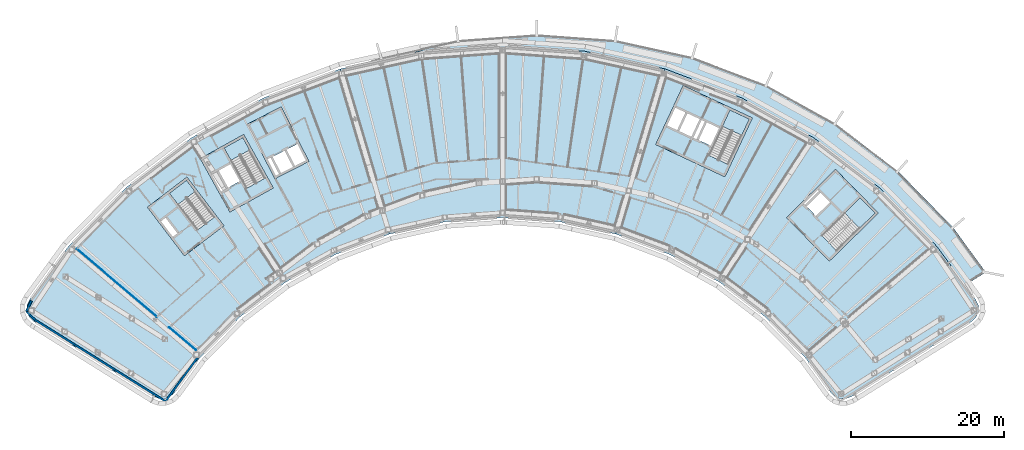
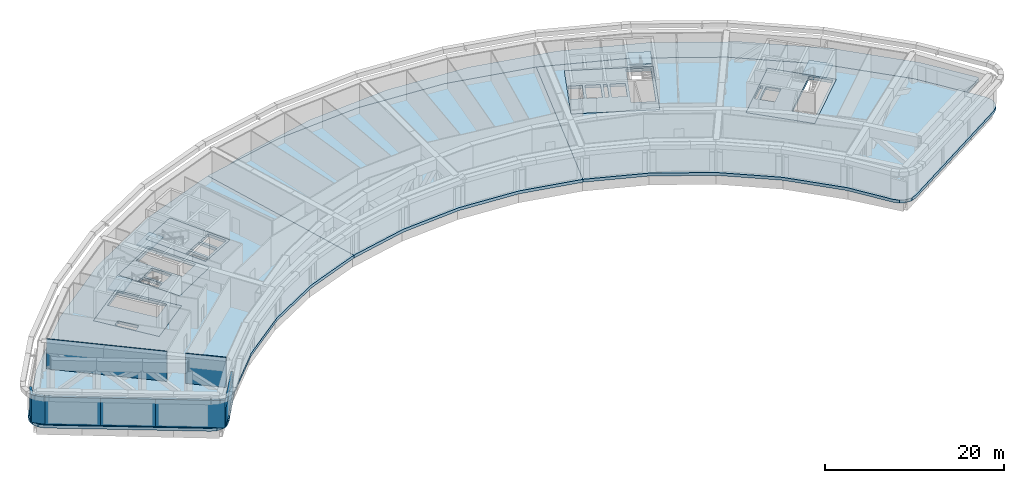
# One storey, part 6 of 25: 13 slabs, 8 walls, 4 elements without a shape of their own.
"""IFC4 building model written with IfcOpenShell, lengths in metres."""

from ifc_helpers import new_model, si_unit, direction, frame, frame_2d, origin, place, context, subcontext, project, spatial, polyline, rectangle, outline, extrude, material, layer, layer_set, type_object, element, aggregate, save


model = new_model("IFC4")

# Units and contexts
model_context = context("Model", 3, precision=1e-05, world=origin(), true_north=direction((0.0, 1.0)))
body_context = subcontext(model_context, "Body", "Model", "MODEL_VIEW")
ifc_project = project(units=[si_unit("LENGTHUNIT", "METRE"), si_unit("AREAUNIT", "SQUARE_METRE"), si_unit("VOLUMEUNIT", "CUBIC_METRE"), si_unit("PLANEANGLEUNIT", "RADIAN"), si_unit("MASSUNIT", "GRAM", prefix="KILO")], contexts=[model_context])

# Site, building, storey
site_placement = place(None, origin())
site = spatial("IfcSite", under=ifc_project, at=site_placement, CompositionType="ELEMENT")
building_placement = place(site_placement, origin())
building = spatial("IfcBuilding", under=site, at=building_placement, Name="Tuul Gate Civic Tower", CompositionType="ELEMENT")
storey_placement = place(building_placement, frame((0.0, 0.0, 133.699951171875)))
storey = spatial("IfcBuildingStorey", under=building, at=storey_placement, Name="Plant and refuge floor 4", CompositionType="ELEMENT", Elevation=133.699951171875)

# Slabs
ifc_material_1 = material(Name="Concrete C40/50", Category="concrete")
ifc_layer_1 = layer(ifc_material_1, 0.39990234375)
ifc_layer_set_1 = layer_set([ifc_layer_1], Name="Concrete C40/50")
slab_type_1 = type_object("IfcSlabType", Name="Core floor slab 400", PredefinedType="FLOOR", material=ifc_layer_set_1)
slab_1_placement = place(storey_placement, frame((0.0, 0.0, -0.400146484375)))
element("IfcSlab", 1, at=slab_1_placement, inside=storey, type_object=slab_type_1, Name="FLOOR SLAB", PredefinedType="FLOOR", context=body_context, shape_type="SweptSolid", body=[
    extrude(outline(polyline([(-31.10009765625, -13.7890625), (-35.946044921875, -7.423828125), (-41.11767578125, -11.361572265625), (-36.271484375, -17.726806640625), (-31.10009765625, -13.7890625)]), holes=[polyline([(-37.19287109375, -14.783203125), (-38.737548828125, -12.75439453125), (-39.45361328125, -13.299560546875), (-37.908935546875, -15.328369140625), (-37.19287109375, -14.783203125)]), polyline([(-32.33935546875, -12.65771484375), (-34.56591796875, -14.352783203125), (-38.229736328125, -9.54052734375), (-36.003173828125, -7.845458984375), (-32.33935546875, -12.65771484375)])]), origin(), (0.0, 0.0, 1.0), 0.400146484375),
])
slab_2_placement = place(storey_placement, frame((0.0, 0.0, -0.400146484375)))
element("IfcSlab", 2, at=slab_2_placement, inside=storey, type_object=slab_type_1, Name="FLOOR SLAB", PredefinedType="FLOOR", context=body_context, shape_type="SweptSolid", body=[
    extrude(outline(polyline([(-24.638916015625, -8.846923828125), (-28.51708984375, -1.849853515625), (-34.2021484375, -5.0009765625), (-30.32421875, -11.998046875), (-24.638916015625, -8.846923828125)]), holes=[polyline([(-29.0185546875, -7.958740234375), (-30.254638671875, -5.728515625), (-31.785400390625, -6.576904296875), (-30.54931640625, -8.80712890625), (-29.0185546875, -7.958740234375)]), polyline([(-30.8115234375, -8.95263671875), (-32.047607421875, -6.72216796875), (-32.8349609375, -7.158447265625), (-31.5986328125, -9.388916015625), (-30.8115234375, -8.95263671875)]), polyline([(-25.702392578125, -7.548828125), (-28.14990234375, -8.905517578125), (-31.08203125, -3.615234375), (-28.63427734375, -2.2587890625), (-25.702392578125, -7.548828125)])]), origin(), (0.0, 0.0, 1.0), 0.400146484375),
])
slab_3_placement = place(storey_placement, frame((0.0, 0.0, -0.400146484375)))
element("IfcSlab", 3, at=slab_3_placement, inside=storey, type_object=slab_type_1, Name="FLOOR SLAB", PredefinedType="FLOOR", context=body_context, shape_type="SweptSolid", body=[
    extrude(outline(polyline([(48.117919921875, -18.43310546875), (54.545166015625, -12.1328125), (48.945068359375, -6.419921875), (42.517822265625, -12.719970703125), (48.117919921875, -18.43310546875)]), holes=[polyline([(46.373779296875, -12.510986328125), (48.19482421875, -10.725830078125), (46.969970703125, -9.47607421875), (45.14892578125, -11.26123046875), (46.373779296875, -12.510986328125)]), polyline([(44.93896484375, -11.046875), (46.760009765625, -9.261962890625), (46.514892578125, -9.011962890625), (44.69384765625, -10.797119140625), (44.93896484375, -11.046875)]), polyline([(49.086181640625, -17.062744140625), (47.12744140625, -15.064208984375), (52.160888671875, -10.130126953125), (54.11962890625, -12.128662109375), (49.086181640625, -17.062744140625)])]), origin(), (0.0, 0.0, 1.0), 0.400146484375),
])
slab_4_placement = place(storey_placement, frame((0.0, 0.0, -0.400146484375)))
element("IfcSlab", 4, at=slab_4_placement, inside=storey, type_object=slab_type_1, Name="FLOOR SLAB", PredefinedType="FLOOR", context=body_context, shape_type="SweptSolid", body=[
    extrude(outline(polyline([(34.465087890625, -7.385986328125), (38.056884765625, 0.31787109375), (28.993896484375, 4.543701171875), (25.40185546875, -3.159912109375), (34.465087890625, -7.385986328125)]), holes=[polyline([(32.60888671875, -3.32080078125), (33.6865234375, -1.009765625), (32.1005859375, -0.27001953125), (31.02294921875, -2.581298828125), (32.60888671875, -3.32080078125)]), polyline([(30.0712890625, -2.137451171875), (31.14892578125, 0.173583984375), (29.562744140625, 0.9130859375), (28.4853515625, -1.39794921875), (30.0712890625, -2.137451171875)]), polyline([(30.751220703125, -2.454345703125), (31.82861328125, -0.143310546875), (31.4208984375, 0.046875), (30.34326171875, -2.264404296875), (30.751220703125, -2.454345703125)]), polyline([(28.21337890625, -1.27099609375), (29.291015625, 1.0400390625), (27.8408203125, 1.71630859375), (26.76318359375, -0.594970703125), (28.21337890625, -1.27099609375)]), polyline([(34.889892578125, -5.7626953125), (32.353759765625, -4.580078125), (35.120849609375, 1.354736328125), (37.6572265625, 0.17236328125), (34.889892578125, -5.7626953125)])]), origin(), (0.0, 0.0, 1.0), 0.400146484375),
])
ifc_material_2 = material(Name="Concrete C40/50", Category="concrete")
ifc_layer_2 = layer(ifc_material_2, 0.39990234375)
ifc_layer_set_2 = layer_set([ifc_layer_2], Name="Concrete C40/50")
slab_type_2 = type_object("IfcSlabType", Name="Core floor slab 400 non-bearing", PredefinedType="FLOOR", material=ifc_layer_set_2)
slab_5_placement = place(storey_placement, frame((0.0, 0.0, -0.400146484375)))
element("IfcSlab", 5, at=slab_5_placement, inside=storey, type_object=slab_type_2, Name="FLOOR SLAB", PredefinedType="FLOOR", context=body_context, shape_type="SweptSolid", body=[
    extrude(outline(polyline([(-19.98095703125, -5.365966796875), (-23.613037109375, 1.761962890625), (-28.068115234375, -0.508056640625), (-24.43603515625, -7.635986328125), (-19.98095703125, -5.365966796875)]), holes=[polyline([(-20.384521484375, -5.23486328125), (-21.47412109375, -3.096435546875), (-22.899658203125, -3.822998046875), (-21.81005859375, -5.961181640625), (-20.384521484375, -5.23486328125)]), polyline([(-22.077392578125, -6.097412109375), (-23.1669921875, -3.958984375), (-24.726318359375, -4.753662109375), (-23.63671875, -6.89208984375), (-22.077392578125, -6.097412109375)]), polyline([(-23.8359375, -7.161865234375), (-24.99365234375, -4.889892578125), (-25.5283203125, -5.162109375), (-24.37060546875, -7.434326171875), (-23.8359375, -7.161865234375)])]), origin(), (0.0, 0.0, 1.0), 0.400146484375),
])

# Stair, slab
ifc_material_3 = material(Name="Concrete C40/50", Category="concrete")
stair_type = type_object("IfcStairType", Name="Exit stair", PredefinedType="HALF_TURN_STAIR", material=ifc_material_3)
stair_1_placement = place(storey_placement, origin())
stair_1 = element("IfcStair", 6, at=stair_1_placement, inside=storey, type_object=stair_type, Name="Plant and refuge floor 4 ST-1", PredefinedType="HALF_TURN_STAIR")
ifc_material_4 = material(Name="Concrete C40/50", Category="concrete")
ifc_layer_3 = layer(ifc_material_4, 0.199951171875)
ifc_layer_set_3 = layer_set([ifc_layer_3], Name="Concrete C40/50")
slab_type_3 = type_object("IfcSlabType", Name="Exit stair landing", PredefinedType="LANDING", material=ifc_layer_set_3)
slab_6_placement = place(storey_placement, frame((0.0, 0.0, 2.050048828125)))
slab_6 = element("IfcSlab", 7, at=slab_6_placement, type_object=slab_type_3, Name="ST-1 landing 1", PredefinedType="LANDING", context=body_context, shape_type="SweptSolid", body=[
    extrude(outline(polyline([(-34.88134765625, -9.31640625), (-37.1103515625, -11.013427734375), (-38.23193359375, -9.540283203125), (-36.0029296875, -7.843017578125), (-34.88134765625, -9.31640625)])), origin(), (0.0, 0.0, 1.0), 0.199951171875),
])
aggregate(stair_1, [slab_6])

stair_2_placement = place(storey_placement, origin())
stair_2 = element("IfcStair", 8, at=stair_2_placement, inside=storey, type_object=stair_type, Name="Plant and refuge floor 4 ST-2", PredefinedType="HALF_TURN_STAIR")
slab_7_placement = place(storey_placement, frame((0.0, 0.0, 2.050048828125)))
slab_7 = element("IfcSlab", 9, at=slab_7_placement, type_object=slab_type_3, Name="ST-2 landing 1", PredefinedType="LANDING", context=body_context, shape_type="SweptSolid", body=[
    extrude(outline(polyline([(-27.736083984375, -3.8759765625), (-30.1865234375, -5.234130859375), (-31.084228515625, -3.61474609375), (-28.6337890625, -2.256591796875), (-27.736083984375, -3.8759765625)])), origin(), (0.0, 0.0, 1.0), 0.199951171875),
])
aggregate(stair_2, [slab_7])

stair_3_placement = place(storey_placement, origin())
stair_3 = element("IfcStair", 10, at=stair_3_placement, inside=storey, type_object=stair_type, Name="Plant and refuge floor 4 ST-3", PredefinedType="HALF_TURN_STAIR")
slab_8_placement = place(storey_placement, frame((0.0, 0.0, 2.050048828125)))
slab_8 = element("IfcSlab", 11, at=slab_8_placement, type_object=slab_type_3, Name="ST-3 landing 1", PredefinedType="LANDING", context=body_context, shape_type="SweptSolid", body=[
    extrude(outline(polyline([(52.085693359375, -14.124755859375), (50.12451171875, -12.1240234375), (52.160888671875, -10.1279296875), (54.1220703125, -12.128662109375), (52.085693359375, -14.124755859375)])), origin(), (0.0, 0.0, 1.0), 0.199951171875),
])
aggregate(stair_3, [slab_8])

stair_4_placement = place(storey_placement, origin())
stair_4 = element("IfcStair", 12, at=stair_4_placement, inside=storey, type_object=stair_type, Name="Plant and refuge floor 4 ST-4", PredefinedType="HALF_TURN_STAIR")
slab_9_placement = place(storey_placement, frame((0.0, 0.0, 2.050048828125)))
slab_9 = element("IfcSlab", 13, at=slab_9_placement, type_object=slab_type_3, Name="ST-4 landing 1", PredefinedType="LANDING", context=body_context, shape_type="SweptSolid", body=[
    extrude(outline(polyline([(36.66552734375, -1.958251953125), (34.12646484375, -0.7744140625), (35.1201171875, 1.35693359375), (37.659423828125, 0.173095703125), (36.66552734375, -1.958251953125)])), origin(), (0.0, 0.0, 1.0), 0.199951171875),
])
aggregate(stair_4, [slab_9])

# Slabs
ifc_material_5 = material(Name="Concrete C35/45", Category="concrete")
ifc_layer_4 = layer(ifc_material_5, 0.39990234375)
ifc_layer_set_4 = layer_set([ifc_layer_4], Name="Concrete C35/45")
slab_type_4 = type_object("IfcSlabType", Name="STR-FLOOR-SLAB-400", PredefinedType="FLOOR", material=ifc_layer_set_4)
slab_10_placement = place(storey_placement, frame((0.0, 0.0, -0.400146484375)))
element("IfcSlab", 14, at=slab_10_placement, inside=storey, type_object=slab_type_4, Name="Plant and refuge floor 4/slab/W", PredefinedType="FLOOR", context=body_context, shape_type="SweptSolid", body=[
    extrude(outline(polyline([(-16.4599609375, -17.5380859375), (-9.43994140625, -14.883056640625), (-15.8740234375, 6.739013671875), (-25.943115234375, 2.930908203125), (-35.35693359375, -2.287109375), (-43.922119140625, -8.80810546875), (-51.45703125, -16.4951171875), (-56.537109375, -23.451904296875), (-56.8740234375, -24.195068359375), (-56.885986328125, -25.010009765625), (-56.571044921875, -25.762939453125), (-55.98193359375, -26.326904296875), (-40.251953125, -36.156005859375), (-39.55810546875, -36.427001953125), (-38.81298828125, -36.424072265625), (-38.12109375, -36.14892578125), (-37.576904296875, -35.639892578125), (-34.248046875, -31.08203125), (-28.9951171875, -25.721923828125), (-23.02392578125, -21.176025390625), (-16.4599609375, -17.5380859375)]), holes=[polyline([(-31.10009765625, -13.7890625), (-36.27197265625, -17.72705078125), (-41.117919921875, -11.362060546875), (-35.946044921875, -7.424072265625), (-31.10009765625, -13.7890625)]), polyline([(-24.638916015625, -8.846923828125), (-30.323974609375, -11.998046875), (-34.201904296875, -5.0009765625), (-28.51708984375, -1.85009765625), (-24.638916015625, -8.846923828125)]), polyline([(-24.43603515625, -7.635986328125), (-28.068115234375, -0.508056640625), (-23.613037109375, 1.761962890625), (-19.98095703125, -5.365966796875), (-24.43603515625, -7.635986328125)])]), origin(), (0.0, 0.0, 1.0), 0.400146484375),
])
slab_11_placement = place(storey_placement, frame((0.0, 0.0, -0.400146484375)))
element("IfcSlab", 15, at=slab_11_placement, inside=storey, type_object=slab_type_4, Name="Plant and refuge floor 4/slab/M", PredefinedType="FLOOR", context=body_context, shape_type="SweptSolid", body=[
    extrude(outline(polyline([(20.18798828125, -14.883056640625), (26.6220703125, 6.739013671875), (16.110107421875, 9.054931640625), (5.3740234375, 9.8330078125), (-5.362060546875, 9.054931640625), (-15.8740234375, 6.739013671875), (-9.43994140625, -14.883056640625), (-2.111083984375, -13.26806640625), (5.3740234375, -12.72607421875), (12.85888671875, -13.26806640625), (20.18798828125, -14.883056640625)])), origin(), (0.0, 0.0, 1.0), 0.400146484375),
])
slab_12_placement = place(storey_placement, frame((0.0, 0.0, -0.400146484375)))
element("IfcSlab", 16, at=slab_12_placement, inside=storey, type_object=slab_type_4, Name="Plant and refuge floor 4/slab/E", PredefinedType="FLOOR", context=body_context, shape_type="SweptSolid", body=[
    extrude(outline(polyline([(50.305908203125, -36.427001953125), (51.0, -36.156005859375), (66.72998046875, -26.326904296875), (67.319091796875, -25.762939453125), (67.634033203125, -25.010009765625), (67.6220703125, -24.195068359375), (67.284912109375, -23.451904296875), (62.205078125, -16.4951171875), (54.669921875, -8.80810546875), (46.10498046875, -2.287109375), (36.69091796875, 2.930908203125), (26.6220703125, 6.739013671875), (20.18798828125, -14.883056640625), (27.2080078125, -17.5380859375), (33.77197265625, -21.176025390625), (39.742919921875, -25.721923828125), (44.99609375, -31.08203125), (48.324951171875, -35.639892578125), (48.868896484375, -36.14892578125), (49.56103515625, -36.424072265625), (50.305908203125, -36.427001953125)]), holes=[polyline([(48.117919921875, -18.43310546875), (42.51806640625, -12.719970703125), (48.945068359375, -6.419921875), (54.544921875, -12.133056640625), (48.117919921875, -18.43310546875)]), polyline([(25.402099609375, -3.159912109375), (28.993896484375, 4.5439453125), (38.056884765625, 0.318115234375), (34.465087890625, -7.385986328125), (25.402099609375, -3.159912109375)])]), origin(), (0.0, 0.0, 1.0), 0.400146484375),
])
ifc_material_6 = material(Name="Concrete C40/50", Category="concrete")
ifc_layer_5 = layer(ifc_material_6, 0.39990234375)
ifc_layer_set_5 = layer_set([ifc_layer_5], Name="Concrete C40/50")
slab_type_5 = type_object("IfcSlabType", Name="STR-TERRACE-SLAB-400", PredefinedType="ROOF", material=ifc_layer_set_5)
slab_13_placement = place(storey_placement, frame((0.0, 0.0, -0.400146484375)))
element("IfcSlab", 17, at=slab_13_placement, inside=storey, type_object=slab_type_5, Name="terrace 1", PredefinedType="ROOF", context=body_context, shape_type="SweptSolid", body=[
    extrude(outline(polyline([(-10.547119140625, 8.262939453125), (-0.467041015625, 10.48388671875), (9.8291015625, 11.22998046875), (20.1240234375, 10.48388671875), (30.205078125, 8.262939453125), (39.860107421875, 4.611083984375), (48.887939453125, -0.39306640625), (57.10107421875, -6.64599609375), (64.326904296875, -14.01806640625), (68.4208984375, -19.6240234375), (68.471923828125, -19.735107421875), (68.47412109375, -19.85693359375), (68.426025390625, -19.969970703125), (68.337890625, -20.054931640625), (65.91162109375, -21.5712890625), (62.205078125, -16.4951171875), (54.669921875, -8.80810546875), (46.10498046875, -2.287109375), (36.69091796875, 2.930908203125), (26.6220703125, 6.739013671875), (16.110107421875, 9.054931640625), (5.3740234375, 9.8330078125), (-5.362060546875, 9.054931640625), (-12.765380859375, 7.423828125), (-10.547119140625, 8.262939453125)])), origin(), (0.0, 0.0, 1.0), 0.400146484375),
])

# Walls
ifc_material_7 = material(Name="Precast concrete C40/50", Category="concrete")
ifc_layer_6 = layer(ifc_material_7, 0.25)
ifc_layer_set_6 = layer_set([ifc_layer_6], Name="Precast concrete C40/50")
wall_type_1 = type_object("IfcWallType", Name="External wall", PredefinedType="STANDARD", material=ifc_layer_set_6)
wall_1_placement = place(storey_placement, frame((-56.30224609375, -23.591796875, 0.0), z_axis=(0.0, 0.0, 1.0), x_axis=(-0.413521925612, -0.910494160903, 0.0)))
element("IfcWall", 18, at=wall_1_placement, inside=storey, type_object=wall_type_1, Name="External wall", PredefinedType="STANDARD", context=body_context, shape_type="SweptSolid", body=[
    extrude(rectangle(XDim=1.571044921875, YDim=0.25, at=frame_2d((0.78564453125, 0.0))), origin(), (0.0, 0.0, 1.0), 3.75),
])
wall_2_placement = place(storey_placement, frame((-56.951904296875, -25.022216796875, 0.0), z_axis=(0.0, 0.0, 1.0), x_axis=(0.722162740816, -0.691723193031, 0.0)))
element("IfcWall", 19, at=wall_2_placement, inside=storey, type_object=wall_type_1, Name="External wall", PredefinedType="STANDARD", context=body_context, shape_type="SweptSolid", body=[
    extrude(rectangle(XDim=1.572021484375, YDim=0.25, at=frame_2d((0.7861328125, 0.0))), origin(), (0.0, 0.0, 1.0), 3.75),
])
wall_3_placement = place(storey_placement, frame((-55.836669921875, -26.093994140625, 0.0), z_axis=(0.0, 0.0, 1.0), x_axis=(0.848042669488, -0.529927948619, 0.0)))
element("IfcWall", 20, at=wall_3_placement, inside=storey, type_object=wall_type_1, Name="External wall", PredefinedType="STANDARD", context=body_context, shape_type="SweptSolid", body=[
    extrude(rectangle(XDim=6.1826171875, YDim=0.25, at=frame_2d((3.09130859375, 0.0))), origin(), (0.0, 0.0, 1.0), 3.75),
])
wall_4_placement = place(storey_placement, frame((-50.593505859375, -29.370361328125, 0.0), z_axis=(0.0, 0.0, 1.0), x_axis=(0.848053758074, -0.529910203164, 0.0)))
element("IfcWall", 21, at=wall_4_placement, inside=storey, type_object=wall_type_1, Name="External wall", PredefinedType="STANDARD", context=body_context, shape_type="SweptSolid", body=[
    extrude(rectangle(XDim=6.182861328125, YDim=0.25, at=frame_2d((3.09130859375, 0.0))), origin(), (0.0, 0.0, 1.0), 3.75),
])
wall_5_placement = place(storey_placement, frame((-45.35009765625, -32.646728515625, 0.0), z_axis=(0.0, 0.0, 1.0), x_axis=(0.848051131154, -0.529914407191, 0.0)))
element("IfcWall", 22, at=wall_5_placement, inside=storey, type_object=wall_type_1, Name="External wall", PredefinedType="STANDARD", context=body_context, shape_type="SweptSolid", body=[
    extrude(rectangle(XDim=7.788330078125, YDim=0.25, at=frame_2d((3.89404296875, 0.0))), origin(), (0.0, 0.0, 1.0), 3.75),
])
ifc_material_8 = material(Name="Precast concrete C40/50", Category="concrete")
ifc_layer_7 = layer(ifc_material_8, 0.25)
ifc_layer_set_7 = layer_set([ifc_layer_7], Name="Precast concrete C40/50")
wall_type_2 = type_object("IfcWallType", Name="External wall 2700 HIGH", PredefinedType="STANDARD", material=ifc_layer_set_7)
wall_6_placement = place(storey_placement, frame((-38.7451171875, -36.77392578125, 0.0), z_axis=(0.0, 0.0, 1.0), x_axis=(0.589745706956, 0.80758900508, 0.0)))
element("IfcWall", 23, at=wall_6_placement, inside=storey, type_object=wall_type_2, Name="External wall", PredefinedType="STANDARD", context=body_context, shape_type="SweptSolid", body=[
    extrude(rectangle(XDim=7.096435546875, YDim=0.25, at=frame_2d((3.54833984375, 0.0))), origin(), (0.0, 0.0, 1.0), 2.699951171875),
])
ifc_material_9 = material(Name="Gypsum board partition")
ifc_layer_8 = layer(ifc_material_9, 0.10009765625)
ifc_layer_set_8 = layer_set([ifc_layer_8], Name="Gypsum board partition")
wall_type_3 = type_object("IfcWallType", Name="Partition P100", PredefinedType="PARTITIONING", material=ifc_layer_set_8)
wall_7_placement = place(storey_placement, frame((-34.7353515625, -30.0791015625, 0.0), z_axis=(0.0, 0.0, 1.0), x_axis=(-0.76281923696, 0.646611793678, 0.0)))
element("IfcWall", 24, at=wall_7_placement, inside=storey, type_object=wall_type_3, Name="p123", PredefinedType="PARTITIONING", context=body_context, shape_type="SweptSolid", body=[
    extrude(rectangle(XDim=4.6240234375, YDim=0.10009765625, at=frame_2d((2.31201171875, 0.0))), origin(), (0.0, 0.0, 1.0), 4.10009765625),
])
wall_8_placement = place(storey_placement, frame((-39.877197265625, -25.720458984375, 0.0), z_axis=(0.0, 0.0, 1.0), x_axis=(-0.762825495465, 0.646604410339, 0.0)))
element("IfcWall", 25, at=wall_8_placement, inside=storey, type_object=wall_type_3, Name="p126", PredefinedType="PARTITIONING", context=body_context, shape_type="SweptSolid", body=[
    extrude(rectangle(XDim=13.713134765625, YDim=0.10009765625, at=frame_2d((6.8564453125, 0.0))), origin(), (0.0, 0.0, 1.0), 4.10009765625),
])

save(model, "model.ifc")
